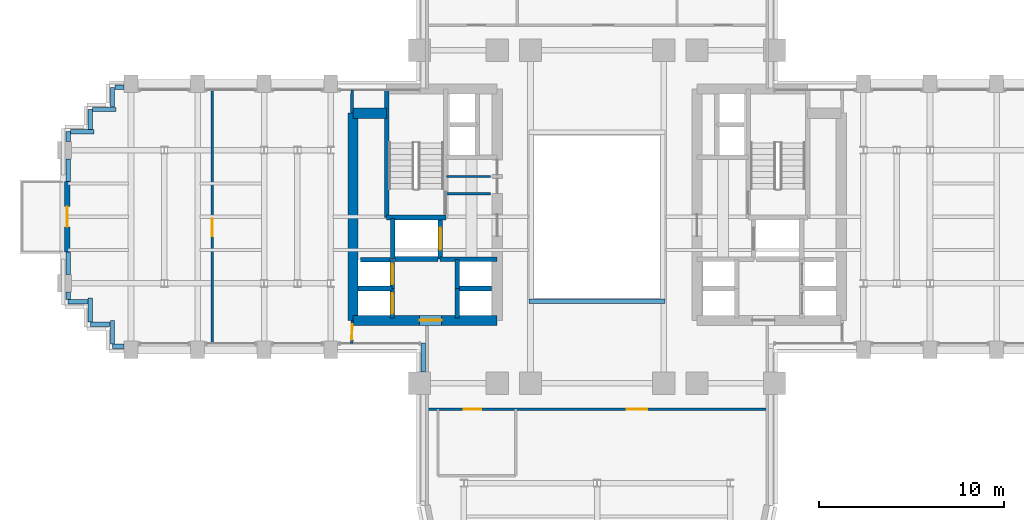
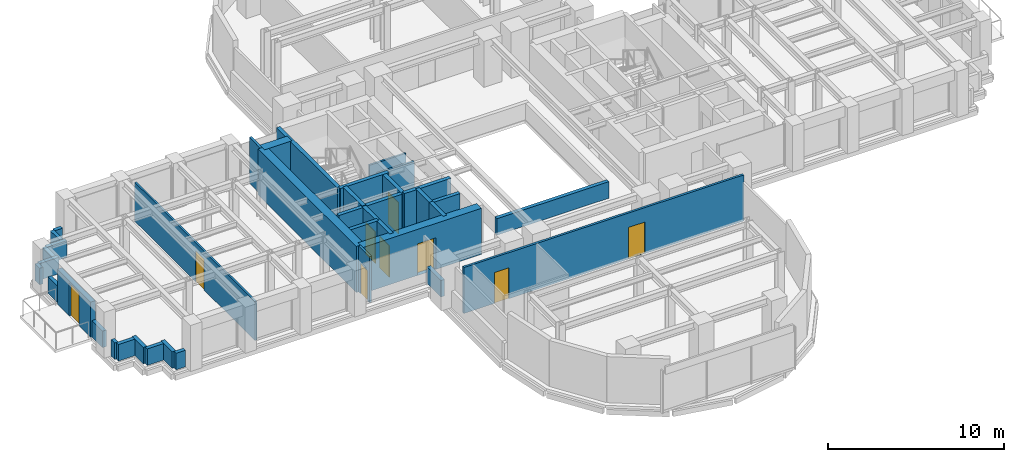
# One storey, part 10 of 15: 39 walls, 9 doors, 9 openings.
"""IFC4 building model written with IfcOpenShell, lengths in metres."""

from ifc_helpers import new_model, si_unit, direction, frame, frame_2d, origin, place, context, subcontext, project, spatial, rectangle, extrude, source, transform, mapped, material, layer, layer_set, type_object, element, fill, save


model = new_model("IFC4")

# Units and contexts
model_context = context("Model", 3, precision=1e-05, world=origin(), true_north=direction((0.0, 1.0)))
body_context = subcontext(model_context, "Body", "Model", "MODEL_VIEW")
ifc_project = project(units=[si_unit("LENGTHUNIT", "METRE"), si_unit("AREAUNIT", "SQUARE_METRE"), si_unit("VOLUMEUNIT", "CUBIC_METRE"), si_unit("PLANEANGLEUNIT", "RADIAN"), si_unit("MASSUNIT", "GRAM", prefix="KILO")], contexts=[model_context])

# Site, building, storey
site_placement = place(None, origin())
site = spatial("IfcSite", under=ifc_project, at=site_placement, CompositionType="ELEMENT")
building_placement = place(site_placement, origin())
building = spatial("IfcBuilding", under=site, at=building_placement, Name="Keilestroom Media Tower", CompositionType="ELEMENT")
storey_placement = place(building_placement, frame((0.0, 0.0, 47.60009765625)))
storey = spatial("IfcBuildingStorey", under=building, at=storey_placement, Name="L11", CompositionType="ELEMENT", Elevation=47.60009765625)

# Wall, opening, door
ifc_material_1 = material(Name="Precast concrete C40/50", Category="concrete")
ifc_layer_1 = layer(ifc_material_1, 0.300048828125)
ifc_layer_set_1 = layer_set([ifc_layer_1], Name="Precast concrete C40/50")
wall_type_1 = type_object("IfcWallType", Name="Exterior-Masonry-Spandrel-Wall-300", PredefinedType="SOLIDWALL", material=ifc_layer_set_1)
wall_1_placement = place(storey_placement, frame((-28.64990234375, -1.89990234375, 0.0), z_axis=(0.0, 0.0, 1.0), x_axis=(0.0, 1.0, 0.0)))
wall_1 = element("IfcWall", 1, at=wall_1_placement, inside=storey, type_object=wall_type_1, Name="L11 Terrace Threshold Wall L11-W", PredefinedType="SOLIDWALL", context=body_context, shape_type="SweptSolid", body=[
    extrude(rectangle(XDim=3.7998046875, YDim=0.300048828125, at=frame_2d((1.89990234375, 0.0))), origin(), (0.0, 0.0, 1.0), 2.449951171875),
])
opening_1_placement = place(wall_1_placement, frame((1.35009765625, 0.0, 0.0)))
opening_1 = element("IfcOpeningElement", 2, at=opening_1_placement, cuts=wall_1, Name="Opening DE-02", PredefinedType="OPENING", context=body_context, shape_type="SweptSolid", body=[
    extrude(rectangle(XDim=1.10009765625, YDim=2.300048828125, at=frame_2d((0.550048828125, 1.14990234375))), frame((0.0, 0.16015625, 0.0), z_axis=(0.0, -1.0, 0.0), x_axis=(1.0, 0.0, 0.0)), (0.0, 0.0, 1.0), 0.320068359375),
])
ifc_material_2 = material(Name="Thermally Broken Aluminium & Laminated Glass", Category="aluminium")
door_type_1 = type_object("IfcDoorType", Name="Exterior-Entrance-And-Terrace-Door-DE-02", OperationType="NOTDEFINED", PredefinedType="DOOR", material=ifc_material_2)
shared_shape_1 = source(origin(), body_context, "Body", "SweptSolid", [
    extrude(rectangle(XDim=1.10009765625, YDim=2.300048828125, at=frame_2d((0.550048828125, 1.14990234375))), frame((0.0, 0.02490234375, 0.0), z_axis=(0.0, -1.0, 0.0), x_axis=(1.0, 0.0, 0.0)), (0.0, 0.0, 1.0), 0.050048828125),
])
door_1_placement = place(opening_1_placement, origin())
door_1 = element("IfcDoor", 3, at=door_1_placement, inside=storey, type_object=door_type_1, Name="L11 Terrace Access Door DE-02 L11-W", OperationType="SINGLE_SWING_LEFT", OverallHeight=2.300048828125, OverallWidth=1.10009765625, PredefinedType="DOOR", context=body_context, shape_type="MappedRepresentation", body=[
    mapped(shared_shape_1, transform((0.0, 0.0, 0.0), x_axis=(1.0, 0.0, 0.0), y_axis=(0.0, 1.0, 0.0), z_axis=(0.0, 0.0, 1.0), scale=1.0)),
])
fill(opening_1, door_1)

# Wall
ifc_material_3 = material(Name="Gypsum Plasterboard & Steel Stud", Category="steel")
ifc_layer_2 = layer(ifc_material_3, 0.1201171875)
ifc_layer_set_2 = layer_set([ifc_layer_2], Name="Gypsum Plasterboard & Steel Stud")
wall_type_2 = type_object("IfcWallType", Name="Interior-Partition-Wall-120", PredefinedType="PARTITIONING", material=ifc_layer_set_2)
wall_2_placement = place(storey_placement, frame((-8.139892578125, 2.179931640625, 0.0), z_axis=(0.0, 0.0, 1.0), x_axis=(1.0, 0.0, 0.0)))
element("IfcWall", 4, at=wall_2_placement, inside=storey, type_object=wall_type_2, Name="L11 Interior Wall WP-L11-CNW-N", PredefinedType="PARTITIONING", context=body_context, shape_type="SweptSolid", body=[
    extrude(rectangle(XDim=2.389892578125, YDim=0.1201171875, at=frame_2d((1.19482421875, 0.0))), origin(), (0.0, 0.0, 1.0), 2.2998046875),
])

# Wall, opening, door
wall_3_placement = place(storey_placement, frame((-20.800048828125, -6.85009765625, 0.0), z_axis=(0.0, 0.0, 1.0), x_axis=(0.0, 1.0, 0.0)))
wall_3 = element("IfcWall", 5, at=wall_3_placement, inside=storey, type_object=wall_type_2, Name="L11 Interior Wall WP-L11-WA-V", PredefinedType="PARTITIONING", context=body_context, shape_type="SweptSolid", body=[
    extrude(rectangle(XDim=13.7001953125, YDim=0.1201171875, at=frame_2d((6.85009765625, 0.0))), origin(), (0.0, 0.0, 1.0), 2.7099609375),
])
opening_2_placement = place(wall_3_placement, frame((5.800048828125, 0.0, 0.0)))
opening_2 = element("IfcOpeningElement", 6, at=opening_2_placement, cuts=wall_3, Name="Opening DI-03", PredefinedType="OPENING", context=body_context, shape_type="SweptSolid", body=[
    extrude(rectangle(XDim=0.949951171875, YDim=2.14990234375, at=frame_2d((0.47509765625, 1.074951171875))), frame((0.0, 0.070068359375, 0.0), z_axis=(0.0, -1.0, 0.0), x_axis=(1.0, 0.0, 0.0)), (0.0, 0.0, 1.0), 0.14013671875),
])
ifc_material_4 = material(Name="Lacquered European Oak Leaf", Category="wood")
door_type_2 = type_object("IfcDoorType", Name="Interior-Room-And-Suite-Door-DI-03", OperationType="NOTDEFINED", PredefinedType="DOOR", material=ifc_material_4)
shared_shape_2 = source(origin(), body_context, "Body", "SweptSolid", [
    extrude(rectangle(XDim=0.949951171875, YDim=2.14990234375, at=frame_2d((0.47509765625, 1.074951171875))), frame((0.0, 0.02490234375, 0.0), z_axis=(0.0, -1.0, 0.0), x_axis=(1.0, 0.0, 0.0)), (0.0, 0.0, 1.0), 0.050048828125),
])
door_2_placement = place(opening_2_placement, origin())
door_2 = element("IfcDoor", 7, at=door_2_placement, inside=storey, type_object=door_type_2, Name="L11 Interior Door DI-L11-DWA-W", OperationType="SINGLE_SWING_LEFT", OverallHeight=2.14990234375, OverallWidth=0.949951171875, PredefinedType="DOOR", context=body_context, shape_type="MappedRepresentation", body=[
    mapped(shared_shape_2, transform((0.0, 0.0, 0.0), x_axis=(1.0, 0.0, 0.0), y_axis=(0.0, 1.0, 0.0), z_axis=(0.0, 0.0, 1.0), scale=1.0)),
])
fill(opening_2, door_2)

# Wall
ifc_layer_3 = layer(ifc_material_3, 0.14990234375)
ifc_layer_set_3 = layer_set([ifc_layer_3], Name="Gypsum Plasterboard & Steel Stud")
wall_type_3 = type_object("IfcWallType", Name="Interior-Partition-Wall-150", PredefinedType="PARTITIONING", material=ifc_layer_set_3)
wall_4_placement = place(storey_placement, frame((-8.139892578125, 1.239990234375, 0.0), z_axis=(0.0, 0.0, 1.0), x_axis=(1.0, 0.0, 0.0)))
element("IfcWall", 8, at=wall_4_placement, inside=storey, type_object=wall_type_3, Name="L11 Interior Wall WP-L11-FFW-TOP", PredefinedType="PARTITIONING", context=body_context, shape_type="SweptSolid", body=[
    extrude(rectangle(XDim=2.389892578125, YDim=0.14990234375, at=frame_2d((1.19482421875, 0.0))), origin(), (0.0, 0.0, 1.0), 2.2998046875),
])

# Wall, openings, doors
wall_5_placement = place(storey_placement, frame((-9.199951171875, -10.39990234375, 0.0), z_axis=(0.0, 0.0, 1.0), x_axis=(1.0, 0.0, 0.0)))
wall_5 = element("IfcWall", 9, at=wall_5_placement, inside=storey, type_object=wall_type_3, Name="L11 Interior Wall WP-L11-SL-BASE", PredefinedType="PARTITIONING", context=body_context, shape_type="SweptSolid", body=[
    extrude(rectangle(XDim=18.39990234375, YDim=0.14990234375, at=frame_2d((9.199951171875, 0.0))), origin(), (0.0, 0.0, 1.0), 3.199951171875),
])
opening_3_placement = place(wall_5_placement, frame((2.0, 0.0, 0.0)))
opening_3 = element("IfcOpeningElement", 10, at=opening_3_placement, cuts=wall_5, Name="Opening DI-03", PredefinedType="OPENING", context=body_context, shape_type="SweptSolid", body=[
    extrude(rectangle(XDim=0.949951171875, YDim=2.14990234375, at=frame_2d((0.47509765625, 1.074951171875))), frame((0.0, 0.0849609375, 0.0), z_axis=(0.0, -1.0, 0.0), x_axis=(1.0, 0.0, 0.0)), (0.0, 0.0, 1.0), 0.169921875),
])
opening_4_placement = place(wall_5_placement, frame((10.800048828125, 0.0, 0.0)))
opening_4 = element("IfcOpeningElement", 11, at=opening_4_placement, cuts=wall_5, Name="Opening DI-04", PredefinedType="OPENING", context=body_context, shape_type="SweptSolid", body=[
    extrude(rectangle(XDim=1.10009765625, YDim=2.199951171875, at=frame_2d((0.550048828125, 1.10009765625))), frame((0.0, 0.0849609375, 0.0), z_axis=(0.0, -1.0, 0.0), x_axis=(1.0, 0.0, 0.0)), (0.0, 0.0, 1.0), 0.169921875),
])
door_3_placement = place(opening_3_placement, origin())
door_3 = element("IfcDoor", 12, at=door_3_placement, inside=storey, type_object=door_type_2, Name="L11 Interior Door DI-L11-DSL-WC4", OperationType="SINGLE_SWING_RIGHT", OverallHeight=2.14990234375, OverallWidth=0.949951171875, PredefinedType="DOOR", context=body_context, shape_type="MappedRepresentation", body=[
    mapped(shared_shape_2, transform((0.0, 0.0, 0.0), x_axis=(1.0, 0.0, 0.0), y_axis=(0.0, 1.0, 0.0), z_axis=(0.0, 0.0, 1.0), scale=1.0)),
])
fill(opening_3, door_3)
ifc_material_5 = material(Name="Acoustic Glazed Aluminium Leaf", Category="aluminium")
door_type_3 = type_object("IfcDoorType", Name="Interior-Room-And-Suite-Door-DI-04", OperationType="NOTDEFINED", PredefinedType="DOOR", material=ifc_material_5)
shared_shape_3 = source(origin(), body_context, "Body", "SweptSolid", [
    extrude(rectangle(XDim=1.10009765625, YDim=2.199951171875, at=frame_2d((0.550048828125, 1.10009765625))), frame((0.0, 0.02490234375, 0.0), z_axis=(0.0, -1.0, 0.0), x_axis=(1.0, 0.0, 0.0)), (0.0, 0.0, 1.0), 0.050048828125),
])
door_4_placement = place(opening_4_placement, origin())
door_4 = element("IfcDoor", 13, at=door_4_placement, inside=storey, type_object=door_type_3, Name="L11 Interior Door DI-L11-DSL-RR", OperationType="SINGLE_SWING_LEFT", OverallHeight=2.199951171875, OverallWidth=1.10009765625, PredefinedType="DOOR", context=body_context, shape_type="MappedRepresentation", body=[
    mapped(shared_shape_3, transform((0.0, 0.0, 0.0), x_axis=(1.0, 0.0, 0.0), y_axis=(0.0, 1.0, 0.0), z_axis=(0.0, 0.0, 1.0), scale=1.0)),
])
fill(opening_4, door_4)

# Wall
wall_6_placement = place(storey_placement, frame((-13.260009765625, 5.60009765625, 0.0), z_axis=(0.0, 0.0, 1.0), x_axis=(0.016013571389, 0.999871774545, 0.0)))
element("IfcWall", 14, at=wall_6_placement, inside=storey, type_object=wall_type_3, Name="L11 Interior Wall WP-L11-WA-ENTN", PredefinedType="PARTITIONING", context=body_context, shape_type="SweptSolid", body=[
    extrude(rectangle(XDim=1.250244140625, YDim=0.14990234375, at=frame_2d((0.625, 0.0))), origin(), (0.0, 0.0, 1.0), 3.199951171875),
])

# Wall, opening, door
wall_7_placement = place(storey_placement, frame((-13.260009765625, -6.85009765625, 0.0), z_axis=(0.0, 0.0, 1.0), x_axis=(0.016013571389, 0.999871774545, 0.0)))
wall_7 = element("IfcWall", 15, at=wall_7_placement, inside=storey, type_object=wall_type_3, Name="L11 Interior Wall WP-L11-WA-ENTS", PredefinedType="PARTITIONING", context=body_context, shape_type="SweptSolid", body=[
    extrude(rectangle(XDim=1.250244140625, YDim=0.14990234375, at=frame_2d((0.625, 0.0))), origin(), (0.0, 0.0, 1.0), 3.199951171875),
])
opening_5_placement = place(wall_7_placement, frame((0.199951171875, 0.0, 0.0)))
opening_5 = element("IfcOpeningElement", 16, at=opening_5_placement, cuts=wall_7, Name="Opening DI-05", PredefinedType="OPENING", context=body_context, shape_type="SweptSolid", body=[
    extrude(rectangle(XDim=0.85009765625, YDim=2.10009765625, at=frame_2d((0.425048828125, 1.050048828125))), frame((0.0, 0.0849609375, 0.0), z_axis=(0.0, -1.0, 0.0), x_axis=(1.0, 0.0, 0.0)), (0.0, 0.0, 1.0), 0.169921875),
])
ifc_material_6 = material(Name="Moisture-Resistant Oak Leaf", Category="wood")
door_type_4 = type_object("IfcDoorType", Name="Interior-En-Suite-And-Cupboard-Door-DI-05", OperationType="NOTDEFINED", PredefinedType="DOOR", material=ifc_material_6)
shared_shape_4 = source(origin(), body_context, "Body", "SweptSolid", [
    extrude(rectangle(XDim=0.85009765625, YDim=2.10009765625, at=frame_2d((0.425048828125, 1.050048828125))), frame((0.0, 0.02490234375, 0.0), z_axis=(0.0, -1.0, 0.0), x_axis=(1.0, 0.0, 0.0)), (0.0, 0.0, 1.0), 0.050048828125),
])
door_5_placement = place(opening_5_placement, origin())
door_5 = element("IfcDoor", 17, at=door_5_placement, inside=storey, type_object=door_type_4, Name="L11 Interior Door DI-L11-DWA-E", OperationType="SINGLE_SWING_RIGHT", OverallHeight=2.10009765625, OverallWidth=0.85009765625, PredefinedType="DOOR", context=body_context, shape_type="MappedRepresentation", body=[
    mapped(shared_shape_4, transform((0.0, 0.0, 0.0), x_axis=(1.0, 0.0, 0.0), y_axis=(0.0, 1.0, 0.0), z_axis=(0.0, 0.0, 1.0), scale=1.0)),
])
fill(opening_5, door_5)

# Walls
ifc_material_7 = material(Name="Concrete C70/85", Category="concrete")
ifc_layer_4 = layer(ifc_material_7, 0.550048828125)
ifc_layer_set_4 = layer_set([ifc_layer_4], Name="Concrete C70/85")
wall_type_4 = type_object("IfcWallType", Name="Reinforced-Concrete-Core-Shear-Wall-550", PredefinedType="SHEAR", material=ifc_layer_set_4)
wall_8_placement = place(storey_placement, frame((-13.199951171875, -5.60009765625, 0.0), z_axis=(0.0, 0.0, 1.0), x_axis=(0.0, 1.0, 0.0)))
element("IfcWall", 18, at=wall_8_placement, inside=storey, type_object=wall_type_4, Name="L11 Core Shear Wall WL-L11-CORE-W-OUT", PredefinedType="SHEAR", context=body_context, shape_type="SweptSolid", body=[
    extrude(rectangle(XDim=11.2001953125, YDim=0.550048828125, at=frame_2d((5.60009765625, 0.0))), origin(), (0.0, 0.0, 1.0), 3.199951171875),
])
wall_9_placement = place(storey_placement, frame((-13.199951171875, 5.60009765625, 0.0), z_axis=(0.0, 0.0, 1.0), x_axis=(1.0, 0.0, 0.0)))
element("IfcWall", 19, at=wall_9_placement, inside=storey, type_object=wall_type_4, Name="L11 Core Shear Wall WL-L11-CNW-N", PredefinedType="SHEAR", context=body_context, shape_type="SweptSolid", body=[
    extrude(rectangle(XDim=1.81884765625, YDim=0.550048828125, at=frame_2d((0.909423828125, 0.0))), origin(), (0.0, 0.0, 1.0), 3.199951171875),
])

# Wall, opening, door
wall_10_placement = place(storey_placement, frame((-13.199951171875, -5.60009765625, 0.0), z_axis=(0.0, 0.0, 1.0), x_axis=(1.0, 0.0, 0.0)))
wall_10 = element("IfcWall", 20, at=wall_10_placement, inside=storey, type_object=wall_type_4, Name="L11 Core Shear Wall WL-L11-CORE-W-S", PredefinedType="SHEAR", context=body_context, shape_type="SweptSolid", body=[
    extrude(rectangle(XDim=7.800048828125, YDim=0.550048828125, at=frame_2d((3.89990234375, 0.0))), origin(), (0.0, 0.0, 1.0), 3.199951171875),
])
opening_6_placement = place(wall_10_placement, frame((3.60009765625, 0.0, 0.0)))
opening_6 = element("IfcOpeningElement", 21, at=opening_6_placement, cuts=wall_10, Name="Opening DI-02", PredefinedType="OPENING", context=body_context, shape_type="SweptSolid", body=[
    extrude(rectangle(XDim=1.199951171875, YDim=2.199951171875, at=frame_2d((0.60009765625, 1.10009765625))), frame((0.0, 0.28515625, 0.0), z_axis=(0.0, -1.0, 0.0), x_axis=(1.0, 0.0, 0.0)), (0.0, 0.0, 1.0), 0.570068359375),
])
ifc_material_8 = material(Name="Powder-Coated Steel Fire Leaf", Category="steel")
door_type_5 = type_object("IfcDoorType", Name="Interior-Compartment-Fire-Door-DI-02", OperationType="NOTDEFINED", PredefinedType="DOOR", material=ifc_material_8)
shared_shape_5 = source(origin(), body_context, "Body", "SweptSolid", [
    extrude(rectangle(XDim=1.199951171875, YDim=2.199951171875, at=frame_2d((0.60009765625, 1.10009765625))), frame((0.0, 0.02490234375, 0.0), z_axis=(0.0, -1.0, 0.0), x_axis=(1.0, 0.0, 0.0)), (0.0, 0.0, 1.0), 0.050048828125),
])
door_6_placement = place(opening_6_placement, origin())
door_6 = element("IfcDoor", 22, at=door_6_placement, inside=storey, type_object=door_type_5, Name="L11 W Passenger Lift Lobby Door", OperationType="SINGLE_SWING_LEFT", OverallHeight=2.199951171875, OverallWidth=1.199951171875, PredefinedType="DOOR", context=body_context, shape_type="MappedRepresentation", body=[
    mapped(shared_shape_5, transform((0.0, 0.0, 0.0), x_axis=(1.0, 0.0, 0.0), y_axis=(0.0, 1.0, 0.0), z_axis=(0.0, 0.0, 1.0), scale=1.0)),
])
fill(opening_6, door_6)

# Walls
ifc_material_9 = material(Name="Concrete C50/60", Category="concrete")
ifc_layer_5 = layer(ifc_material_9, 0.25)
ifc_layer_set_5 = layer_set([ifc_layer_5], Name="Concrete C50/60")
wall_type_5 = type_object("IfcWallType", Name="Reinforced-Concrete-Shaft-Wall-250", PredefinedType="SOLIDWALL", material=ifc_layer_set_5)
wall_11_placement = place(storey_placement, frame((-8.47998046875, -2.300048828125, 0.0), z_axis=(0.0, 0.0, 1.0), x_axis=(1.0, 0.0, 0.0)))
element("IfcWall", 23, at=wall_11_placement, inside=storey, type_object=wall_type_5, Name="L11 Core Shear Wall WL-L11-CORE-W-FFS", PredefinedType="SOLIDWALL", context=body_context, shape_type="SweptSolid", body=[
    extrude(rectangle(XDim=3.080078125, YDim=0.25, at=frame_2d((1.5400390625, 0.0))), origin(), (0.0, 0.0, 1.0), 3.199951171875),
])
wall_12_placement = place(storey_placement, frame((-11.381103515625, -0.041015625, 0.0), z_axis=(0.0, 0.0, 1.0), x_axis=(0.0, 1.0, 0.0)))
element("IfcWall", 24, at=wall_12_placement, inside=storey, type_object=wall_type_5, Name="L11 Core Shear Wall WL-L11-STW-W-FAR", PredefinedType="SOLIDWALL", context=body_context, shape_type="SweptSolid", body=[
    extrude(rectangle(XDim=6.94091796875, YDim=0.25, at=frame_2d((3.470458984375, 0.0))), origin(), (0.0, 0.0, 1.0), 3.199951171875),
])
wall_13_placement = place(storey_placement, frame((-11.381103515625, -0.041015625, 0.0), z_axis=(0.0, 0.0, 1.0), x_axis=(1.0, 0.0, 0.0)))
element("IfcWall", 25, at=wall_13_placement, inside=storey, type_object=wall_type_5, Name="L11 Core Shear Wall WL-L11-STW-W-S", PredefinedType="SOLIDWALL", context=body_context, shape_type="SweptSolid", body=[
    extrude(rectangle(XDim=3.2021484375, YDim=0.25, at=frame_2d((1.60107421875, 0.0))), origin(), (0.0, 0.0, 1.0), 3.199951171875),
])
wall_14_placement = place(storey_placement, frame((-11.050048828125, -2.280029296875, 0.0), z_axis=(0.0, 0.0, 1.0), x_axis=(0.0, 1.0, 0.0)))
element("IfcWall", 26, at=wall_14_placement, inside=storey, type_object=wall_type_5, Name="L11 Core Shear Wall WL-L11-LSH-FFL-1-W", PredefinedType="SOLIDWALL", context=body_context, shape_type="SweptSolid", body=[
    extrude(rectangle(XDim=2.179931640625, YDim=0.25, at=frame_2d((1.08984375, 0.0))), origin(), (0.0, 0.0, 1.0), 3.199951171875),
])

# Wall, opening, door
wall_15_placement = place(storey_placement, frame((-8.47998046875, -2.280029296875, 0.0), z_axis=(0.0, 0.0, 1.0), x_axis=(0.0, 1.0, 0.0)))
wall_15 = element("IfcWall", 27, at=wall_15_placement, inside=storey, type_object=wall_type_5, Name="L11 Core Shear Wall WL-L11-LSH-FFL-1-E", PredefinedType="SOLIDWALL", context=body_context, shape_type="SweptSolid", body=[
    extrude(rectangle(XDim=2.179931640625, YDim=0.25, at=frame_2d((1.08984375, 0.0))), origin(), (0.0, 0.0, 1.0), 3.199951171875),
])
opening_7_placement = place(wall_15_placement, frame((0.489990234375, 0.0, 0.0)))
opening_7 = element("IfcOpeningElement", 28, at=opening_7_placement, cuts=wall_15, Name="Opening LD-02", PredefinedType="OPENING", context=body_context, shape_type="SweptSolid", body=[
    extrude(rectangle(XDim=1.199951171875, YDim=2.199951171875, at=frame_2d((0.60009765625, 1.10009765625))), frame((0.0, 0.135009765625, 0.0), z_axis=(0.0, -1.0, 0.0), x_axis=(1.0, 0.0, 0.0)), (0.0, 0.0, 1.0), 0.27001953125),
])
ifc_material_10 = material(Name="Brushed Stainless Steel Sliding Leaf", Category="steel")
door_type_6 = type_object("IfcDoorType", Name="Lift-Landing-Sliding-Door-LD-02", OperationType="SLIDING_TO_RIGHT", PredefinedType="DOOR", material=ifc_material_10)
door_7_placement = place(opening_7_placement, origin())
door_7 = element("IfcDoor", 29, at=door_7_placement, inside=storey, type_object=door_type_6, Name="L11 Lift FFL-1 Landing Sliding Door", OperationType="SLIDING_TO_RIGHT", OverallHeight=2.199951171875, OverallWidth=1.199951171875, PredefinedType="DOOR", context=body_context, shape_type="MappedRepresentation", body=[
    mapped(shared_shape_5, transform((0.0, 0.0, 0.0), x_axis=(1.0, 0.0, 0.0), y_axis=(0.0, 1.0, 0.0), z_axis=(0.0, 0.0, 1.0), scale=1.0)),
])
fill(opening_7, door_7)

# Wall
wall_16_placement = place(storey_placement, frame((-10.9208984375, -2.280029296875, 0.0), z_axis=(0.0, 0.0, 1.0), x_axis=(1.0, 0.0, 0.0)))
element("IfcWall", 30, at=wall_16_placement, inside=storey, type_object=wall_type_5, Name="L11 Core Shear Wall WL-L11-LSH-FFL-1-S", PredefinedType="SOLIDWALL", context=body_context, shape_type="SweptSolid", body=[
    extrude(rectangle(XDim=2.31201171875, YDim=0.25, at=frame_2d((1.156005859375, 0.0))), origin(), (0.0, 0.0, 1.0), 3.199951171875),
])

# Wall, opening, door
wall_17_placement = place(storey_placement, frame((-11.080078125, -5.47998046875, 0.0), z_axis=(0.0, 0.0, 1.0), x_axis=(0.0, 1.0, 0.0)))
wall_17 = element("IfcWall", 31, at=wall_17_placement, inside=storey, type_object=wall_type_5, Name="L11 Core Shear Wall WL-L11-LSH-PL-L1-E", PredefinedType="SOLIDWALL", context=body_context, shape_type="SweptSolid", body=[
    extrude(rectangle(XDim=1.60009765625, YDim=0.25, at=frame_2d((0.800048828125, 0.0))), origin(), (0.0, 0.0, 1.0), 3.199951171875),
])
opening_8_placement = place(wall_17_placement, frame((0.25, 0.0, 0.0)))
opening_8 = element("IfcOpeningElement", 32, at=opening_8_placement, cuts=wall_17, Name="Opening LD-01", PredefinedType="OPENING", context=body_context, shape_type="SweptSolid", body=[
    extrude(rectangle(XDim=1.10009765625, YDim=2.199951171875, at=frame_2d((0.550048828125, 1.10009765625))), frame((0.0, 0.135009765625, 0.0), z_axis=(0.0, -1.0, 0.0), x_axis=(1.0, 0.0, 0.0)), (0.0, 0.0, 1.0), 0.27001953125),
])
door_type_7 = type_object("IfcDoorType", Name="Lift-Landing-Sliding-Door-LD-01", OperationType="SLIDING_TO_LEFT", PredefinedType="DOOR", material=ifc_material_10)
door_8_placement = place(opening_8_placement, origin())
door_8 = element("IfcDoor", 33, at=door_8_placement, inside=storey, type_object=door_type_7, Name="L11 Lift PL-L1 Landing Sliding Door", OperationType="SLIDING_TO_LEFT", OverallHeight=2.199951171875, OverallWidth=1.10009765625, PredefinedType="DOOR", context=body_context, shape_type="MappedRepresentation", body=[
    mapped(shared_shape_3, transform((0.0, 0.0, 0.0), x_axis=(1.0, 0.0, 0.0), y_axis=(0.0, 1.0, 0.0), z_axis=(0.0, 0.0, 1.0), scale=1.0)),
])
fill(opening_8, door_8)

# Wall
wall_18_placement = place(storey_placement, frame((-12.919921875, -3.8798828125, 0.0), z_axis=(0.0, 0.0, 1.0), x_axis=(1.0, 0.0, 0.0)))
element("IfcWall", 34, at=wall_18_placement, inside=storey, type_object=wall_type_5, Name="L11 Core Shear Wall WL-L11-LSH-PL-L1-N", PredefinedType="SOLIDWALL", context=body_context, shape_type="SweptSolid", body=[
    extrude(rectangle(XDim=1.83984375, YDim=0.25, at=frame_2d((0.919921875, 0.0))), origin(), (0.0, 0.0, 1.0), 3.199951171875),
])

# Wall, opening, door
wall_19_placement = place(storey_placement, frame((-11.080078125, -3.8798828125, 0.0), z_axis=(0.0, 0.0, 1.0), x_axis=(0.0, 1.0, 0.0)))
wall_19 = element("IfcWall", 35, at=wall_19_placement, inside=storey, type_object=wall_type_5, Name="L11 Core Shear Wall WL-L11-LSH-PL-L2-E", PredefinedType="SOLIDWALL", context=body_context, shape_type="SweptSolid", body=[
    extrude(rectangle(XDim=1.559814453125, YDim=0.25, at=frame_2d((0.77978515625, 0.0))), origin(), (0.0, 0.0, 1.0), 3.199951171875),
])
opening_9_placement = place(wall_19_placement, frame((0.22998046875, 0.0, 0.0)))
opening_9 = element("IfcOpeningElement", 36, at=opening_9_placement, cuts=wall_19, Name="Opening LD-01", PredefinedType="OPENING", context=body_context, shape_type="SweptSolid", body=[
    extrude(rectangle(XDim=1.10009765625, YDim=2.199951171875, at=frame_2d((0.550048828125, 1.10009765625))), frame((0.0, 0.135009765625, 0.0), z_axis=(0.0, -1.0, 0.0), x_axis=(1.0, 0.0, 0.0)), (0.0, 0.0, 1.0), 0.27001953125),
])
door_9_placement = place(opening_9_placement, origin())
door_9 = element("IfcDoor", 37, at=door_9_placement, inside=storey, type_object=door_type_7, Name="L11 Lift PL-L2 Landing Sliding Door", OperationType="SLIDING_TO_LEFT", OverallHeight=2.199951171875, OverallWidth=1.10009765625, PredefinedType="DOOR", context=body_context, shape_type="MappedRepresentation", body=[
    mapped(shared_shape_3, transform((0.0, 0.0, 0.0), x_axis=(1.0, 0.0, 0.0), y_axis=(0.0, 1.0, 0.0), z_axis=(0.0, 0.0, 1.0), scale=1.0)),
])
fill(opening_9, door_9)

# Walls
wall_20_placement = place(storey_placement, frame((-12.791015625, -2.320068359375, 0.0), z_axis=(0.0, 0.0, 1.0), x_axis=(1.0, 0.0, 0.0)))
element("IfcWall", 38, at=wall_20_placement, inside=storey, type_object=wall_type_5, Name="L11 Core Shear Wall WL-L11-LSH-PL-L2-N", PredefinedType="SOLIDWALL", context=body_context, shape_type="SweptSolid", body=[
    extrude(rectangle(XDim=1.58203125, YDim=0.25, at=frame_2d((0.791015625, 0.0))), origin(), (0.0, 0.0, 1.0), 3.199951171875),
])
wall_21_placement = place(storey_placement, frame((-7.56005859375, -5.47998046875, 0.0), z_axis=(0.0, 0.0, 1.0), x_axis=(0.0, 1.0, 0.0)))
element("IfcWall", 39, at=wall_21_placement, inside=storey, type_object=wall_type_5, Name="L11 Core Shear Wall WL-L11-LSH-PL-M1-W", PredefinedType="SOLIDWALL", context=body_context, shape_type="SweptSolid", body=[
    extrude(rectangle(XDim=1.60009765625, YDim=0.25, at=frame_2d((0.800048828125, 0.0))), origin(), (0.0, 0.0, 1.0), 3.199951171875),
])
wall_22_placement = place(storey_placement, frame((-7.56005859375, -3.8798828125, 0.0), z_axis=(0.0, 0.0, 1.0), x_axis=(1.0, 0.0, 0.0)))
element("IfcWall", 40, at=wall_22_placement, inside=storey, type_object=wall_type_5, Name="L11 Core Shear Wall WL-L11-LSH-PL-M1-N", PredefinedType="SOLIDWALL", context=body_context, shape_type="SweptSolid", body=[
    extrude(rectangle(XDim=1.840087890625, YDim=0.25, at=frame_2d((0.919921875, 0.0))), origin(), (0.0, 0.0, 1.0), 3.199951171875),
])
wall_23_placement = place(storey_placement, frame((-7.56005859375, -3.8798828125, 0.0), z_axis=(0.0, 0.0, 1.0), x_axis=(0.0, 1.0, 0.0)))
element("IfcWall", 41, at=wall_23_placement, inside=storey, type_object=wall_type_5, Name="L11 Core Shear Wall WL-L11-LSH-PL-M2-W", PredefinedType="SOLIDWALL", context=body_context, shape_type="SweptSolid", body=[
    extrude(rectangle(XDim=1.559814453125, YDim=0.25, at=frame_2d((0.77978515625, 0.0))), origin(), (0.0, 0.0, 1.0), 3.199951171875),
])
ifc_layer_6 = layer(ifc_material_1, 0.239990234375)
ifc_layer_set_6 = layer_set([ifc_layer_6], Name="Precast concrete C40/50")
wall_type_6 = type_object("IfcWallType", Name="Roof-And-Terrace-Parapet-Wall-240", PredefinedType="PARAPET", material=ifc_layer_set_6)
wall_24_placement = place(storey_placement, frame((-9.39990234375, -8.39697265625, 0.0), z_axis=(0.0, 0.0, 1.0), x_axis=(0.0, 1.0, 0.0)))
element("IfcWall", 42, at=wall_24_placement, inside=storey, type_object=wall_type_6, Name="L11 Perimeter Edge Parapet Wall 11", PredefinedType="PARAPET", context=body_context, shape_type="SweptSolid", body=[
    extrude(rectangle(XDim=1.578125, YDim=0.239990234375, at=frame_2d((0.7890625, 0.0))), origin(), (0.0, 0.0, 1.0), 1.14990234375),
])
wall_25_placement = place(storey_placement, frame((-25.577880859375, -7.0, 0.0), z_axis=(0.0, 0.0, 1.0), x_axis=(-1.0, 0.0, 0.0)))
element("IfcWall", 43, at=wall_25_placement, inside=storey, type_object=wall_type_6, Name="L11 Perimeter Edge Parapet Wall 12", PredefinedType="PARAPET", context=body_context, shape_type="SweptSolid", body=[
    extrude(rectangle(XDim=0.6220703125, YDim=0.239990234375, at=frame_2d((0.31103515625, 0.0))), origin(), (0.0, 0.0, 1.0), 1.14990234375),
])
wall_26_placement = place(storey_placement, frame((-26.199951171875, -6.876953125, 0.0), z_axis=(0.0, 0.0, 1.0), x_axis=(0.0, 1.0, 0.0)))
element("IfcWall", 44, at=wall_26_placement, inside=storey, type_object=wall_type_6, Name="L11 Perimeter Edge Parapet Wall 13", PredefinedType="PARAPET", context=body_context, shape_type="SweptSolid", body=[
    extrude(rectangle(XDim=1.27685546875, YDim=0.239990234375, at=frame_2d((0.638427734375, 0.0))), origin(), (0.0, 0.0, 1.0), 1.14990234375),
])
wall_27_placement = place(storey_placement, frame((-26.322998046875, -5.800048828125, 0.0), z_axis=(0.0, 0.0, 1.0), x_axis=(-1.0, 0.0, 0.0)))
element("IfcWall", 45, at=wall_27_placement, inside=storey, type_object=wall_type_6, Name="L11 Perimeter Edge Parapet Wall 14", PredefinedType="PARAPET", context=body_context, shape_type="SweptSolid", body=[
    extrude(rectangle(XDim=1.076904296875, YDim=0.239990234375, at=frame_2d((0.53857421875, 0.0))), origin(), (0.0, 0.0, 1.0), 1.14990234375),
])
wall_28_placement = place(storey_placement, frame((-27.39990234375, -5.677001953125, 0.0), z_axis=(0.0, 0.0, 1.0), x_axis=(0.0, 1.0, 0.0)))
element("IfcWall", 46, at=wall_28_placement, inside=storey, type_object=wall_type_6, Name="L11 Perimeter Edge Parapet Wall 15", PredefinedType="PARAPET", context=body_context, shape_type="SweptSolid", body=[
    extrude(rectangle(XDim=1.277099609375, YDim=0.239990234375, at=frame_2d((0.638671875, 0.0))), origin(), (0.0, 0.0, 1.0), 1.14990234375),
])
wall_29_placement = place(storey_placement, frame((-27.52294921875, -4.60009765625, 0.0), z_axis=(0.0, 0.0, 1.0), x_axis=(-1.0, 0.0, 0.0)))
element("IfcWall", 47, at=wall_29_placement, inside=storey, type_object=wall_type_6, Name="L11 Perimeter Edge Parapet Wall 16", PredefinedType="PARAPET", context=body_context, shape_type="SweptSolid", body=[
    extrude(rectangle(XDim=1.0771484375, YDim=0.239990234375, at=frame_2d((0.53857421875, 0.0))), origin(), (0.0, 0.0, 1.0), 1.14990234375),
])
wall_30_placement = place(storey_placement, frame((-28.60009765625, -4.47705078125, 0.0), z_axis=(0.0, 0.0, 1.0), x_axis=(0.0, 1.0, 0.0)))
element("IfcWall", 48, at=wall_30_placement, inside=storey, type_object=wall_type_6, Name="L11 Perimeter Edge Parapet Wall 17", PredefinedType="PARAPET", context=body_context, shape_type="SweptSolid", body=[
    extrude(rectangle(XDim=0.399169921875, YDim=0.239990234375, at=frame_2d((0.19970703125, 0.0))), origin(), (0.0, 0.0, 1.0), 1.14990234375),
])
for number, where, z_axis, x_axis, name in (
    (49, (-28.60009765625, -3.1220703125, 0.0), (0.0, 0.0, 1.0), (0.0, 1.0, 0.0), "L11 Perimeter Edge Parapet Wall 18"),
    (50, (-28.60009765625, 1.903076171875, 0.0), (0.0, 0.0, 1.0), (0.0, 1.0, 0.0), "L11 Perimeter Edge Parapet Wall 19"),
):
    element("IfcWall", number, at=place(storey_placement, frame(where, z_axis=z_axis, x_axis=x_axis)), inside=storey, type_object=wall_type_6, Name=name, PredefinedType="PARAPET", context=body_context, shape_type="SweptSolid", body=[
        extrude(rectangle(XDim=1.218994140625, YDim=0.239990234375, at=frame_2d((0.609375, 0.0))), origin(), (0.0, 0.0, 1.0), 1.14990234375),
    ])
wall_31_placement = place(storey_placement, frame((-28.60009765625, 4.077880859375, 0.0), z_axis=(0.0, 0.0, 1.0), x_axis=(0.0, 1.0, 0.0)))
element("IfcWall", 51, at=wall_31_placement, inside=storey, type_object=wall_type_6, Name="L11 Perimeter Edge Parapet Wall 20", PredefinedType="PARAPET", context=body_context, shape_type="SweptSolid", body=[
    extrude(rectangle(XDim=0.522216796875, YDim=0.239990234375, at=frame_2d((0.26123046875, 0.0))), origin(), (0.0, 0.0, 1.0), 1.14990234375),
])
wall_32_placement = place(storey_placement, frame((-28.47705078125, 4.60009765625, 0.0), z_axis=(0.0, 0.0, 1.0), x_axis=(1.0, 0.0, 0.0)))
element("IfcWall", 52, at=wall_32_placement, inside=storey, type_object=wall_type_6, Name="L11 Perimeter Edge Parapet Wall 21", PredefinedType="PARAPET", context=body_context, shape_type="SweptSolid", body=[
    extrude(rectangle(XDim=1.277099609375, YDim=0.239990234375, at=frame_2d((0.638671875, 0.0))), origin(), (0.0, 0.0, 1.0), 1.14990234375),
])
wall_33_placement = place(storey_placement, frame((-27.39990234375, 4.722900390625, 0.0), z_axis=(0.0, 0.0, 1.0), x_axis=(0.0, 1.0, 0.0)))
element("IfcWall", 53, at=wall_33_placement, inside=storey, type_object=wall_type_6, Name="L11 Perimeter Edge Parapet Wall 22", PredefinedType="PARAPET", context=body_context, shape_type="SweptSolid", body=[
    extrude(rectangle(XDim=1.0771484375, YDim=0.239990234375, at=frame_2d((0.53857421875, 0.0))), origin(), (0.0, 0.0, 1.0), 1.14990234375),
])
wall_34_placement = place(storey_placement, frame((-27.277099609375, 5.800048828125, 0.0), z_axis=(0.0, 0.0, 1.0), x_axis=(1.0, 0.0, 0.0)))
element("IfcWall", 54, at=wall_34_placement, inside=storey, type_object=wall_type_6, Name="L11 Perimeter Edge Parapet Wall 23", PredefinedType="PARAPET", context=body_context, shape_type="SweptSolid", body=[
    extrude(rectangle(XDim=1.277099609375, YDim=0.239990234375, at=frame_2d((0.638671875, 0.0))), origin(), (0.0, 0.0, 1.0), 1.14990234375),
])
wall_35_placement = place(storey_placement, frame((-26.199951171875, 5.923095703125, 0.0), z_axis=(0.0, 0.0, 1.0), x_axis=(0.0, 1.0, 0.0)))
element("IfcWall", 55, at=wall_35_placement, inside=storey, type_object=wall_type_6, Name="L11 Perimeter Edge Parapet Wall 24", PredefinedType="PARAPET", context=body_context, shape_type="SweptSolid", body=[
    extrude(rectangle(XDim=1.076904296875, YDim=0.239990234375, at=frame_2d((0.53857421875, 0.0))), origin(), (0.0, 0.0, 1.0), 1.14990234375),
])
wall_36_placement = place(storey_placement, frame((-26.076904296875, 7.0, 0.0), z_axis=(0.0, 0.0, 1.0), x_axis=(1.0, 0.0, 0.0)))
element("IfcWall", 56, at=wall_36_placement, inside=storey, type_object=wall_type_6, Name="L11 Perimeter Edge Parapet Wall 25", PredefinedType="PARAPET", context=body_context, shape_type="SweptSolid", body=[
    extrude(rectangle(XDim=0.4990234375, YDim=0.239990234375, at=frame_2d((0.24951171875, 0.0))), origin(), (0.0, 0.0, 1.0), 1.14990234375),
])
wall_37_placement = place(storey_placement, frame((-3.679931640625, -4.56005859375, 0.0), z_axis=(0.0, 0.0, 1.0), x_axis=(1.0, 0.0, 0.0)))
element("IfcWall", 57, at=wall_37_placement, inside=storey, type_object=wall_type_6, Name="L11 Central Atrium Guard Parapet S", PredefinedType="PARAPET", context=body_context, shape_type="SweptSolid", body=[
    extrude(rectangle(XDim=7.35986328125, YDim=0.239990234375, at=frame_2d((3.679931640625, 0.0))), origin(), (0.0, 0.0, 1.0), 1.14990234375),
])

save(model, "model.ifc")
